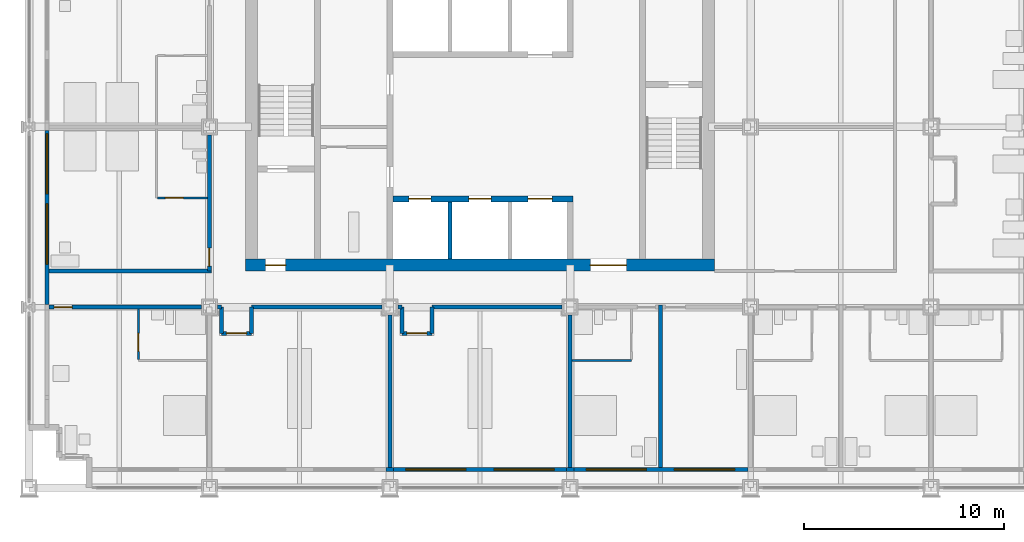
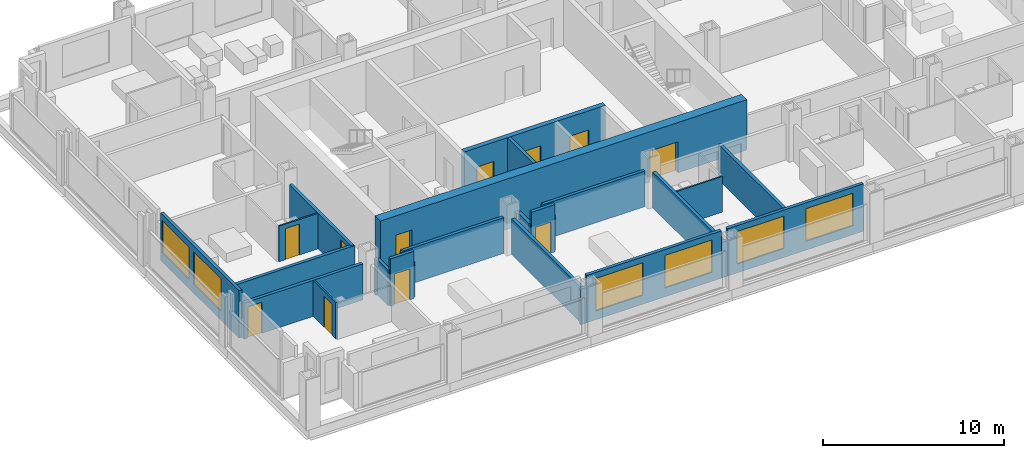
# One storey, part 10 of 18: 27 walls, 11 doors, 6 windows, 17 openings.
"""IFC4 building model written with IfcOpenShell, lengths in metres."""

from ifc_helpers import new_model, si_unit, direction, frame, frame_2d, origin, place, context, subcontext, project, spatial, rectangle, extrude, material, layer, layer_set, type_object, element, fill, save


model = new_model("IFC4")

# Units and contexts
model_context = context("Model", 3, precision=1e-05, world=origin(), true_north=direction((0.0, 1.0)))
body_context = subcontext(model_context, "Body", "Model", "MODEL_VIEW")
ifc_project = project(units=[si_unit("LENGTHUNIT", "METRE"), si_unit("AREAUNIT", "SQUARE_METRE"), si_unit("VOLUMEUNIT", "CUBIC_METRE"), si_unit("PLANEANGLEUNIT", "RADIAN"), si_unit("MASSUNIT", "GRAM", prefix="KILO")], contexts=[model_context])

# Site, building, storey
site_placement = place(None, origin())
site = spatial("IfcSite", under=ifc_project, at=site_placement, CompositionType="ELEMENT")
building_placement = place(site_placement, origin())
building = spatial("IfcBuilding", under=site, at=building_placement, Name="Loomwork Tower", CompositionType="ELEMENT")
storey_placement = place(building_placement, frame((0.0, 0.0, 28.0)))
storey = spatial("IfcBuildingStorey", under=building, at=storey_placement, Name="L05", CompositionType="ELEMENT", Elevation=28.0)

# Wall, openings, doors
ifc_material_1 = material(Name="Concrete 14000 psi (97 MPa)", Category="concrete")
ifc_layer_1 = layer(ifc_material_1, 0.300048828125)
ifc_layer_set_1 = layer_set([ifc_layer_1], Name="Core shear wall 300")
wall_type_1 = type_object("IfcWallType", Name="Core shear wall 300", PredefinedType="SHEAR", material=ifc_layer_set_1)
wall_1_placement = place(storey_placement, frame((18.14990234375, 14.39990234375, 0.0), z_axis=(0.0, 0.0, 1.0), x_axis=(1.0, 0.0, 0.0)))
wall_1 = element("IfcWall", 1, at=wall_1_placement, inside=storey, type_object=wall_type_1, Name="Lift front wall south L05", PredefinedType="SHEAR", context=body_context, shape_type="SweptSolid", body=[
    extrude(rectangle(XDim=9.0, YDim=0.300048828125, at=frame_2d((4.5, 0.0))), origin(), (0.0, 0.0, 1.0), 3.39990234375),
])
opening_1_placement = place(wall_1_placement, frame((0.800048828125, 0.0, 0.0)))
opening_1 = element("IfcOpeningElement", 2, at=opening_1_placement, cuts=wall_1, Name="Opening LD1", PredefinedType="OPENING", context=body_context, shape_type="SweptSolid", body=[
    extrude(rectangle(XDim=1.10009765625, YDim=2.10009765625, at=frame_2d((0.550048828125, 1.050048828125))), frame((0.0, 0.159912109375, 0.0), z_axis=(0.0, -1.0, 0.0), x_axis=(1.0, 0.0, 0.0)), (0.0, 0.0, 1.0), 0.320068359375),
])
opening_2_placement = place(wall_1_placement, frame((3.800048828125, 0.0, 0.0)))
opening_2 = element("IfcOpeningElement", 3, at=opening_2_placement, cuts=wall_1, Name="Opening LD1", PredefinedType="OPENING", context=body_context, shape_type="SweptSolid", body=[
    extrude(rectangle(XDim=1.10009765625, YDim=2.10009765625, at=frame_2d((0.550048828125, 1.050048828125))), frame((0.0, 0.159912109375, 0.0), z_axis=(0.0, -1.0, 0.0), x_axis=(1.0, 0.0, 0.0)), (0.0, 0.0, 1.0), 0.320068359375),
])
opening_3_placement = place(wall_1_placement, frame((6.75, 0.0, 0.0)))
opening_3 = element("IfcOpeningElement", 4, at=opening_3_placement, cuts=wall_1, Name="Opening LD2", PredefinedType="OPENING", context=body_context, shape_type="SweptSolid", body=[
    extrude(rectangle(XDim=1.199951171875, YDim=2.10009765625, at=frame_2d((0.60009765625, 1.050048828125))), frame((0.0, 0.159912109375, 0.0), z_axis=(0.0, -1.0, 0.0), x_axis=(1.0, 0.0, 0.0)), (0.0, 0.0, 1.0), 0.320068359375),
])
ifc_material_2 = material(Name="Hollow metal door and frame")
door_type_1 = type_object("IfcDoorType", Name="Lift landing door 1100", OperationType="SLIDING_TO_LEFT", PredefinedType="DOOR", material=ifc_material_2)
door_1_placement = place(opening_1_placement, origin())
door_1 = element("IfcDoor", 5, at=door_1_placement, inside=storey, type_object=door_type_1, Name="Lift landing door LA1", OperationType="SLIDING_TO_LEFT", OverallHeight=2.10009765625, OverallWidth=1.10009765625, PredefinedType="DOOR", context=body_context, shape_type="SweptSolid", body=[
    extrude(rectangle(XDim=1.10009765625, YDim=2.10009765625, at=frame_2d((0.550048828125, 1.050048828125))), frame((0.0, 0.02490234375, 0.0), z_axis=(0.0, -1.0, 0.0), x_axis=(1.0, 0.0, 0.0)), (0.0, 0.0, 1.0), 0.050048828125),
])
fill(opening_1, door_1)
door_2_placement = place(opening_2_placement, origin())
door_2 = element("IfcDoor", 6, at=door_2_placement, inside=storey, type_object=door_type_1, Name="Lift landing door LA2", OperationType="SLIDING_TO_LEFT", OverallHeight=2.10009765625, OverallWidth=1.10009765625, PredefinedType="DOOR", context=body_context, shape_type="SweptSolid", body=[
    extrude(rectangle(XDim=1.10009765625, YDim=2.10009765625, at=frame_2d((0.550048828125, 1.050048828125))), frame((0.0, 0.02490234375, 0.0), z_axis=(0.0, -1.0, 0.0), x_axis=(1.0, 0.0, 0.0)), (0.0, 0.0, 1.0), 0.050048828125),
])
fill(opening_2, door_2)
ifc_material_3 = material(Name="Hollow metal door and frame")
door_type_2 = type_object("IfcDoorType", Name="Lift landing door 1200", OperationType="SLIDING_TO_LEFT", PredefinedType="DOOR", material=ifc_material_3)
door_3_placement = place(opening_3_placement, origin())
door_3 = element("IfcDoor", 7, at=door_3_placement, inside=storey, type_object=door_type_2, Name="Lift landing door LF1", OperationType="SLIDING_TO_LEFT", OverallHeight=2.10009765625, OverallWidth=1.199951171875, PredefinedType="DOOR", context=body_context, shape_type="SweptSolid", body=[
    extrude(rectangle(XDim=1.199951171875, YDim=2.10009765625, at=frame_2d((0.60009765625, 1.050048828125))), frame((0.0, 0.02490234375, 0.0), z_axis=(0.0, -1.0, 0.0), x_axis=(1.0, 0.0, 0.0)), (0.0, 0.0, 1.0), 0.050048828125),
])
fill(opening_3, door_3)

ifc_material_4 = material(Name="Concrete 14000 psi (97 MPa)", Category="concrete")
ifc_layer_2 = layer(ifc_material_4, 0.60009765625)
ifc_layer_set_2 = layer_set([ifc_layer_2], Name="Core shear wall 600")
wall_type_2 = type_object("IfcWallType", Name="Core shear wall 600", PredefinedType="SHEAR", material=ifc_layer_set_2)
wall_2_placement = place(storey_placement, frame((10.800048828125, 11.10009765625, 0.0), z_axis=(0.0, 0.0, 1.0), x_axis=(1.0, 0.0, 0.0)))
wall_2 = element("IfcWall", 8, at=wall_2_placement, inside=storey, type_object=wall_type_2, Name="Core wall south L05", PredefinedType="SHEAR", context=body_context, shape_type="SweptSolid", body=[
    extrude(rectangle(XDim=23.39990234375, YDim=0.60009765625, at=frame_2d((11.699951171875, 0.0))), origin(), (0.0, 0.0, 1.0), 3.39990234375),
])
opening_4_placement = place(wall_2_placement, frame((1.0, 0.0, 0.0)))
opening_4 = element("IfcOpeningElement", 9, at=opening_4_placement, cuts=wall_2, Name="Opening D4", PredefinedType="OPENING", context=body_context, shape_type="SweptSolid", body=[
    extrude(rectangle(XDim=1.0, YDim=2.10009765625, at=frame_2d((0.5, 1.050048828125))), frame((0.0, 0.31005859375, 0.0), z_axis=(0.0, -1.0, 0.0), x_axis=(1.0, 0.0, 0.0)), (0.0, 0.0, 1.0), 0.6201171875),
])
opening_5_placement = place(wall_2_placement, frame((17.199951171875, 0.0, 0.0)))
opening_5 = element("IfcOpeningElement", 10, at=opening_5_placement, cuts=wall_2, Name="Opening D6", PredefinedType="OPENING", context=body_context, shape_type="SweptSolid", body=[
    extrude(rectangle(XDim=1.800048828125, YDim=2.10009765625, at=frame_2d((0.89990234375, 1.050048828125))), frame((0.0, 0.31005859375, 0.0), z_axis=(0.0, -1.0, 0.0), x_axis=(1.0, 0.0, 0.0)), (0.0, 0.0, 1.0), 0.6201171875),
])
ifc_material_5 = material(Name="Hollow metal door and frame")
door_type_3 = type_object("IfcDoorType", Name="Lobby passage double door 1800", OperationType="DOUBLE_DOOR_SINGLE_SWING", PredefinedType="DOOR", material=ifc_material_5)
door_4_placement = place(opening_5_placement, origin())
door_4 = element("IfcDoor", 11, at=door_4_placement, inside=storey, type_object=door_type_3, Name="Lobby passage door south", OperationType="DOUBLE_DOOR_SINGLE_SWING", OverallHeight=2.10009765625, OverallWidth=1.800048828125, PredefinedType="DOOR", context=body_context, shape_type="SweptSolid", body=[
    extrude(rectangle(XDim=1.800048828125, YDim=2.10009765625, at=frame_2d((0.89990234375, 1.050048828125))), frame((0.0, 0.02490234375, 0.0), z_axis=(0.0, -1.0, 0.0), x_axis=(1.0, 0.0, 0.0)), (0.0, 0.0, 1.0), 0.050048828125),
])
fill(opening_5, door_4)
ifc_material_6 = material(Name="Hollow metal door and frame")
door_type_4 = type_object("IfcDoorType", Name="Stair door 1000", OperationType="SINGLE_SWING_RIGHT", PredefinedType="DOOR", material=ifc_material_6)
door_5_placement = place(opening_4_placement, origin())
door_5 = element("IfcDoor", 12, at=door_5_placement, inside=storey, type_object=door_type_4, Name="Stair A vestibule door", OperationType="SINGLE_SWING_LEFT", OverallHeight=2.10009765625, OverallWidth=1.0, PredefinedType="DOOR", context=body_context, shape_type="SweptSolid", body=[
    extrude(rectangle(XDim=1.0, YDim=2.10009765625, at=frame_2d((0.5, 1.050048828125))), frame((0.0, 0.02490234375, 0.0), z_axis=(0.0, -1.0, 0.0), x_axis=(1.0, 0.0, 0.0)), (0.0, 0.0, 1.0), 0.050048828125),
])
fill(opening_4, door_5)

# Wall, opening, door
ifc_material_7 = material(Name="Gypsum board on steel studs, one-hour", Category="steel")
ifc_layer_3 = layer(ifc_material_7, 0.199951171875)
ifc_layer_set_3 = layer_set([ifc_layer_3], Name="Corridor wall 200")
wall_type_3 = type_object("IfcWallType", Name="Corridor wall 200", PredefinedType="PARTITIONING", material=ifc_layer_set_3)
wall_3_placement = place(storey_placement, frame((1.0, 9.0, 0.0), z_axis=(0.0, 0.0, 1.0), x_axis=(1.0, 0.0, 0.0)))
wall_3 = element("IfcWall", 13, at=wall_3_placement, inside=storey, type_object=wall_type_3, Name="South corridor wall 1", PredefinedType="PARTITIONING", context=body_context, shape_type="SweptSolid", body=[
    extrude(rectangle(XDim=7.60009765625, YDim=0.199951171875, at=frame_2d((3.800048828125, 0.0))), origin(), (0.0, 0.0, 1.0), 2.43798828125),
])
opening_6_placement = place(wall_3_placement, frame((0.25, 0.0, 0.0)))
opening_6 = element("IfcOpeningElement", 14, at=opening_6_placement, cuts=wall_3, Name="Opening D1", PredefinedType="OPENING", context=body_context, shape_type="SweptSolid", body=[
    extrude(rectangle(XDim=0.89990234375, YDim=2.10009765625, at=frame_2d((0.449951171875, 1.050048828125))), frame((0.0, 0.10986328125, 0.0), z_axis=(0.0, -1.0, 0.0), x_axis=(1.0, 0.0, 0.0)), (0.0, 0.0, 1.0), 0.219970703125),
])
ifc_material_8 = material(Name="Hollow metal door and frame")
door_type_5 = type_object("IfcDoorType", Name="Guest room entry door 900", OperationType="SINGLE_SWING_LEFT", PredefinedType="DOOR", material=ifc_material_8)
door_6_placement = place(opening_6_placement, frame((0.89990234375, 0.0, 0.0), z_axis=(0.0, 0.0, 1.0), x_axis=(-1.0, 0.0, 0.0)))
door_6 = element("IfcDoor", 15, at=door_6_placement, inside=storey, type_object=door_type_5, Name="Guest room entry door L05 1", OperationType="SINGLE_SWING_RIGHT", OverallHeight=2.10009765625, OverallWidth=0.89990234375, PredefinedType="DOOR", context=body_context, shape_type="SweptSolid", body=[
    extrude(rectangle(XDim=0.89990234375, YDim=2.10009765625, at=frame_2d((0.449951171875, 1.050048828125))), frame((0.0, 0.02490234375, 0.0), z_axis=(0.0, -1.0, 0.0), x_axis=(1.0, 0.0, 0.0)), (0.0, 0.0, 1.0), 0.050048828125),
])
fill(opening_6, door_6)

# Walls
for number, where, z_axis, x_axis, name in (
    (16, (9.39990234375, 9.0, 0.0), (0.0, 0.0, 1.0), (1.0, 0.0, 0.0), "South corridor wall 2"),
    (17, (18.39990234375, 9.0, 0.0), (0.0, 0.0, 1.0), (1.0, 0.0, 0.0), "South corridor wall 3"),
):
    element("IfcWall", number, at=place(storey_placement, frame(where, z_axis=z_axis, x_axis=x_axis)), inside=storey, type_object=wall_type_3, Name=name, PredefinedType="PARTITIONING", context=body_context, shape_type="SweptSolid", body=[
        extrude(rectangle(XDim=0.2001953125, YDim=0.199951171875, at=frame_2d((0.10009765625, 0.0))), origin(), (0.0, 0.0, 1.0), 2.405029296875),
    ])

# Wall, opening, door
wall_4_placement = place(storey_placement, frame((9.0, 10.800048828125, 0.0), z_axis=(0.0, 0.0, 1.0), x_axis=(0.0, 1.0, 0.0)))
wall_4 = element("IfcWall", 18, at=wall_4_placement, inside=storey, type_object=wall_type_3, Name="West corridor wall 1", PredefinedType="PARTITIONING", context=body_context, shape_type="SweptSolid", body=[
    extrude(rectangle(XDim=6.800048828125, YDim=0.199951171875, at=frame_2d((3.39990234375, 0.0))), origin(), (0.0, 0.0, 1.0), 2.405029296875),
])
opening_7_placement = place(wall_4_placement, frame((0.25, 0.0, 0.0)))
opening_7 = element("IfcOpeningElement", 19, at=opening_7_placement, cuts=wall_4, Name="Opening D1", PredefinedType="OPENING", context=body_context, shape_type="SweptSolid", body=[
    extrude(rectangle(XDim=0.89990234375, YDim=2.10009765625, at=frame_2d((0.449951171875, 1.050048828125))), frame((0.0, 0.10986328125, 0.0), z_axis=(0.0, -1.0, 0.0), x_axis=(1.0, 0.0, 0.0)), (0.0, 0.0, 1.0), 0.219970703125),
])
door_7_placement = place(opening_7_placement, origin())
door_7 = element("IfcDoor", 20, at=door_7_placement, inside=storey, type_object=door_type_5, Name="Guest room entry door L05 15", OperationType="SINGLE_SWING_LEFT", OverallHeight=2.10009765625, OverallWidth=0.89990234375, PredefinedType="DOOR", context=body_context, shape_type="SweptSolid", body=[
    extrude(rectangle(XDim=0.89990234375, YDim=2.10009765625, at=frame_2d((0.449951171875, 1.050048828125))), frame((0.0, 0.02490234375, 0.0), z_axis=(0.0, -1.0, 0.0), x_axis=(1.0, 0.0, 0.0)), (0.0, 0.0, 1.0), 0.050048828125),
])
fill(opening_7, door_7)

# Walls
wall_5_placement = place(storey_placement, frame((1.0, 10.800048828125, 0.0), z_axis=(0.0, 0.0, 1.0), x_axis=(1.0, 0.0, 0.0)))
element("IfcWall", 21, at=wall_5_placement, inside=storey, type_object=wall_type_3, Name="West band end wall S", PredefinedType="PARTITIONING", context=body_context, shape_type="SweptSolid", body=[
    extrude(rectangle(XDim=8.10009765625, YDim=0.199951171875, at=frame_2d((4.050048828125, 0.0))), origin(), (0.0, 0.0, 1.0), 2.404052734375),
])
wall_6_placement = place(storey_placement, frame((11.10009765625, 9.0, 0.0), z_axis=(0.0, 0.0, 1.0), x_axis=(1.0, 0.0, 0.0)))
element("IfcWall", 22, at=wall_6_placement, inside=storey, type_object=wall_type_3, Name="South corridor wall 2", PredefinedType="PARTITIONING", context=body_context, shape_type="SweptSolid", body=[
    extrude(rectangle(XDim=6.5, YDim=0.199951171875, at=frame_2d((3.25, 0.0))), origin(), (0.0, 0.0, 1.0), 2.405029296875),
])
for number, where, z_axis, x_axis, name in (
    (23, (9.60009765625, 9.0, 0.0), (0.0, 0.0, 1.0), (0.0, -1.0, 0.0), "Meeting room door L05 2 alcove wall"),
    (24, (11.10009765625, 9.0, 0.0), (0.0, 0.0, 1.0), (0.0, -1.0, 0.0), "Meeting room door L05 2 alcove wall"),
):
    element("IfcWall", number, at=place(storey_placement, frame(where, z_axis=z_axis, x_axis=x_axis)), inside=storey, type_object=wall_type_3, Name=name, PredefinedType="PARTITIONING", context=body_context, shape_type="SweptSolid", body=[
        extrude(rectangle(XDim=1.300048828125, YDim=0.199951171875, at=frame_2d((0.64990234375, 0.0))), origin(), (0.0, 0.0, 1.0), 2.404052734375),
    ])

# Wall, opening, door
wall_7_placement = place(storey_placement, frame((9.60009765625, 7.699951171875, 0.0), z_axis=(0.0, 0.0, 1.0), x_axis=(1.0, 0.0, 0.0)))
wall_7 = element("IfcWall", 25, at=wall_7_placement, inside=storey, type_object=wall_type_3, Name="Meeting room door L05 2 alcove wall", PredefinedType="PARTITIONING", context=body_context, shape_type="SweptSolid", body=[
    extrude(rectangle(XDim=1.5, YDim=0.199951171875, at=frame_2d((0.75, 0.0))), origin(), (0.0, 0.0, 1.0), 3.199951171875),
])
opening_8_placement = place(wall_7_placement, frame((0.25, 0.0, 0.0)))
opening_8 = element("IfcOpeningElement", 26, at=opening_8_placement, cuts=wall_7, Name="Opening D15", PredefinedType="OPENING", context=body_context, shape_type="SweptSolid", body=[
    extrude(rectangle(XDim=1.0, YDim=2.10009765625, at=frame_2d((0.5, 1.050048828125))), frame((0.0, 0.10986328125, 0.0), z_axis=(0.0, -1.0, 0.0), x_axis=(1.0, 0.0, 0.0)), (0.0, 0.0, 1.0), 0.219970703125),
])
ifc_material_9 = material(Name="Hollow metal door and frame")
door_type_6 = type_object("IfcDoorType", Name="Fire-rated room door 1000", OperationType="SINGLE_SWING_LEFT", PredefinedType="DOOR", material=ifc_material_9)
door_8_placement = place(opening_8_placement, frame((1.0, 0.0, 0.0), z_axis=(0.0, 0.0, 1.0), x_axis=(-1.0, 0.0, 0.0)))
door_8 = element("IfcDoor", 27, at=door_8_placement, inside=storey, type_object=door_type_6, Name="Meeting room door L05 2", OperationType="SINGLE_SWING_RIGHT", OverallHeight=2.10009765625, OverallWidth=1.0, PredefinedType="DOOR", context=body_context, shape_type="SweptSolid", body=[
    extrude(rectangle(XDim=1.0, YDim=2.10009765625, at=frame_2d((0.5, 1.050048828125))), frame((0.0, 0.02490234375, 0.0), z_axis=(0.0, -1.0, 0.0), x_axis=(1.0, 0.0, 0.0)), (0.0, 0.0, 1.0), 0.050048828125),
])
fill(opening_8, door_8)

# Walls
wall_8_placement = place(storey_placement, frame((20.10009765625, 9.0, 0.0), z_axis=(0.0, 0.0, 1.0), x_axis=(1.0, 0.0, 0.0)))
element("IfcWall", 28, at=wall_8_placement, inside=storey, type_object=wall_type_3, Name="South corridor wall 3", PredefinedType="PARTITIONING", context=body_context, shape_type="SweptSolid", body=[
    extrude(rectangle(XDim=6.5, YDim=0.199951171875, at=frame_2d((3.25, 0.0))), origin(), (0.0, 0.0, 1.0), 2.405029296875),
])
for number, where, z_axis, x_axis, name in (
    (29, (18.60009765625, 9.0, 0.0), (0.0, 0.0, 1.0), (0.0, -1.0, 0.0), "Meeting room door L05 3 alcove wall"),
    (30, (20.10009765625, 9.0, 0.0), (0.0, 0.0, 1.0), (0.0, -1.0, 0.0), "Meeting room door L05 3 alcove wall"),
):
    element("IfcWall", number, at=place(storey_placement, frame(where, z_axis=z_axis, x_axis=x_axis)), inside=storey, type_object=wall_type_3, Name=name, PredefinedType="PARTITIONING", context=body_context, shape_type="SweptSolid", body=[
        extrude(rectangle(XDim=1.300048828125, YDim=0.199951171875, at=frame_2d((0.64990234375, 0.0))), origin(), (0.0, 0.0, 1.0), 2.404052734375),
    ])

# Wall, opening, door
wall_9_placement = place(storey_placement, frame((18.60009765625, 7.699951171875, 0.0), z_axis=(0.0, 0.0, 1.0), x_axis=(1.0, 0.0, 0.0)))
wall_9 = element("IfcWall", 31, at=wall_9_placement, inside=storey, type_object=wall_type_3, Name="Meeting room door L05 3 alcove wall", PredefinedType="PARTITIONING", context=body_context, shape_type="SweptSolid", body=[
    extrude(rectangle(XDim=1.5, YDim=0.199951171875, at=frame_2d((0.75, 0.0))), origin(), (0.0, 0.0, 1.0), 3.199951171875),
])
opening_9_placement = place(wall_9_placement, frame((0.25, 0.0, 0.0)))
opening_9 = element("IfcOpeningElement", 32, at=opening_9_placement, cuts=wall_9, Name="Opening D15", PredefinedType="OPENING", context=body_context, shape_type="SweptSolid", body=[
    extrude(rectangle(XDim=1.0, YDim=2.10009765625, at=frame_2d((0.5, 1.050048828125))), frame((0.0, 0.10986328125, 0.0), z_axis=(0.0, -1.0, 0.0), x_axis=(1.0, 0.0, 0.0)), (0.0, 0.0, 1.0), 0.219970703125),
])
door_9_placement = place(opening_9_placement, frame((1.0, 0.0, 0.0), z_axis=(0.0, 0.0, 1.0), x_axis=(-1.0, 0.0, 0.0)))
door_9 = element("IfcDoor", 33, at=door_9_placement, inside=storey, type_object=door_type_6, Name="Meeting room door L05 3", OperationType="SINGLE_SWING_RIGHT", OverallHeight=2.10009765625, OverallWidth=1.0, PredefinedType="DOOR", context=body_context, shape_type="SweptSolid", body=[
    extrude(rectangle(XDim=1.0, YDim=2.10009765625, at=frame_2d((0.5, 1.050048828125))), frame((0.0, 0.02490234375, 0.0), z_axis=(0.0, -1.0, 0.0), x_axis=(1.0, 0.0, 0.0)), (0.0, 0.0, 1.0), 0.050048828125),
])
fill(opening_9, door_9)

ifc_material_10 = material(Name="Cement board on steel studs", Category="steel")
ifc_layer_4 = layer(ifc_material_10, 0.10009765625)
ifc_layer_set_4 = layer_set([ifc_layer_4], Name="En-suite partition 100")
wall_type_4 = type_object("IfcWallType", Name="En-suite partition 100", PredefinedType="PARTITIONING", material=ifc_layer_set_4)
wall_10_placement = place(storey_placement, frame((5.449951171875, 8.89990234375, 0.0), z_axis=(0.0, 0.0, 1.0), x_axis=(0.0, -1.0, 0.0)))
wall_10 = element("IfcWall", 34, at=wall_10_placement, inside=storey, type_object=wall_type_4, Name="En-suite side wall L05 room 1", PredefinedType="PARTITIONING", context=body_context, shape_type="SweptSolid", body=[
    extrude(rectangle(XDim=2.5, YDim=0.10009765625, at=frame_2d((1.25, 0.0))), origin(), (0.0, 0.0, 1.0), 2.43798828125),
])
opening_10_placement = place(wall_10_placement, frame((1.199951171875, 0.0, 0.0)))
opening_10 = element("IfcOpeningElement", 35, at=opening_10_placement, cuts=wall_10, Name="Opening D3", PredefinedType="OPENING", context=body_context, shape_type="SweptSolid", body=[
    extrude(rectangle(XDim=0.89990234375, YDim=2.10009765625, at=frame_2d((0.449951171875, 1.050048828125))), frame((0.0, 0.06005859375, 0.0), z_axis=(0.0, -1.0, 0.0), x_axis=(1.0, 0.0, 0.0)), (0.0, 0.0, 1.0), 0.1201171875),
])
ifc_material_11 = material(Name="Hollow metal door and frame")
door_type_7 = type_object("IfcDoorType", Name="Accessible en-suite door 900", OperationType="SLIDING_TO_LEFT", PredefinedType="DOOR", material=ifc_material_11)
door_10_placement = place(opening_10_placement, origin())
door_10 = element("IfcDoor", 36, at=door_10_placement, inside=storey, type_object=door_type_7, Name="Accessible en-suite door room 1", OperationType="SLIDING_TO_LEFT", OverallHeight=2.10009765625, OverallWidth=0.89990234375, PredefinedType="DOOR", context=body_context, shape_type="SweptSolid", body=[
    extrude(rectangle(XDim=0.89990234375, YDim=2.10009765625, at=frame_2d((0.449951171875, 1.050048828125))), frame((0.0, 0.02490234375, 0.0), z_axis=(0.0, -1.0, 0.0), x_axis=(1.0, 0.0, 0.0)), (0.0, 0.0, 1.0), 0.050048828125),
])
fill(opening_10, door_10)

# Wall
wall_11_placement = place(storey_placement, frame((27.10009765625, 6.35009765625, 0.0), z_axis=(0.0, 0.0, 1.0), x_axis=(1.0, 0.0, 0.0)))
element("IfcWall", 37, at=wall_11_placement, inside=storey, type_object=wall_type_4, Name="En-suite wall L05 room 4", PredefinedType="PARTITIONING", context=body_context, shape_type="SweptSolid", body=[
    extrude(rectangle(XDim=2.949951171875, YDim=0.10009765625, at=frame_2d((1.47509765625, 0.0))), origin(), (0.0, 0.0, 1.0), 2.404052734375),
])

# Wall, opening, door
wall_12_placement = place(storey_placement, frame((8.89990234375, 14.449951171875, 0.0), z_axis=(0.0, 0.0, 1.0), x_axis=(-1.0, 0.0, 0.0)))
wall_12 = element("IfcWall", 38, at=wall_12_placement, inside=storey, type_object=wall_type_4, Name="En-suite side wall L05 room 15", PredefinedType="PARTITIONING", context=body_context, shape_type="SweptSolid", body=[
    extrude(rectangle(XDim=2.5, YDim=0.10009765625, at=frame_2d((1.25, 0.0))), origin(), (0.0, 0.0, 1.0), 2.404052734375),
])
opening_11_placement = place(wall_12_placement, frame((1.199951171875, 0.0, 0.0)))
opening_11 = element("IfcOpeningElement", 39, at=opening_11_placement, cuts=wall_12, Name="Opening D2", PredefinedType="OPENING", context=body_context, shape_type="SweptSolid", body=[
    extrude(rectangle(XDim=0.89990234375, YDim=2.10009765625, at=frame_2d((0.449951171875, 1.050048828125))), frame((0.0, 0.06005859375, 0.0), z_axis=(0.0, -1.0, 0.0), x_axis=(1.0, 0.0, 0.0)), (0.0, 0.0, 1.0), 0.1201171875),
])
ifc_material_12 = material(Name="Hollow metal door and frame")
door_type_8 = type_object("IfcDoorType", Name="En-suite door 900", OperationType="SINGLE_SWING_LEFT", PredefinedType="DOOR", material=ifc_material_12)
door_11_placement = place(opening_11_placement, frame((0.89990234375, 0.0, 0.0), z_axis=(0.0, 0.0, 1.0), x_axis=(-1.0, 0.0, 0.0)))
door_11 = element("IfcDoor", 40, at=door_11_placement, inside=storey, type_object=door_type_8, Name="En-suite door room 15", OperationType="SINGLE_SWING_LEFT", OverallHeight=2.10009765625, OverallWidth=0.89990234375, PredefinedType="DOOR", context=body_context, shape_type="SweptSolid", body=[
    extrude(rectangle(XDim=0.89990234375, YDim=2.10009765625, at=frame_2d((0.449951171875, 1.050048828125))), frame((0.0, 0.02490234375, 0.0), z_axis=(0.0, -1.0, 0.0), x_axis=(1.0, 0.0, 0.0)), (0.0, 0.0, 1.0), 0.050048828125),
])
fill(opening_11, door_11)

# Walls
ifc_material_13 = material(Name="Gypsum board on steel studs, acoustic", Category="steel")
ifc_layer_5 = layer(ifc_material_13, 0.199951171875)
ifc_layer_set_5 = layer_set([ifc_layer_5], Name="Guest room party wall 200")
wall_type_5 = type_object("IfcWallType", Name="Guest room party wall 200", PredefinedType="PARTITIONING", material=ifc_layer_set_5)
for number, where, z_axis, x_axis, name in (
    (41, (18.0, 8.60009765625, 0.0), (0.0, 0.0, 1.0), (0.0, -1.0, 0.0), "Guest room party wall S 18"),
    (42, (27.0, 8.60009765625, 0.0), (0.0, 0.0, 1.0), (0.0, -1.0, 0.0), "Guest room party wall S 27"),
):
    element("IfcWall", number, at=place(storey_placement, frame(where, z_axis=z_axis, x_axis=x_axis)), inside=storey, type_object=wall_type_5, Name=name, PredefinedType="PARTITIONING", context=body_context, shape_type="SweptSolid", body=[
        extrude(rectangle(XDim=7.60009765625, YDim=0.199951171875, at=frame_2d((3.800048828125, 0.0))), origin(), (0.0, 0.0, 1.0), 2.405029296875),
    ])
wall_13_placement = place(storey_placement, frame((31.5, 9.10009765625, 0.0), z_axis=(0.0, 0.0, 1.0), x_axis=(0.0, -1.0, 0.0)))
element("IfcWall", 43, at=wall_13_placement, inside=storey, type_object=wall_type_5, Name="Guest room party wall S 31.5", PredefinedType="PARTITIONING", context=body_context, shape_type="SweptSolid", body=[
    extrude(rectangle(XDim=8.10009765625, YDim=0.199951171875, at=frame_2d((4.050048828125, 0.0))), origin(), (0.0, 0.0, 1.0), 2.404052734375),
])
ifc_material_14 = material(Name="Insulated steel stud wall with gypsum lining", Category="steel")
ifc_layer_6 = layer(ifc_material_14, 0.199951171875)
ifc_layer_set_6 = layer_set([ifc_layer_6], Name="Inner skin wall 200")
wall_type_6 = type_object("IfcWallType", Name="Inner skin wall 200", PredefinedType="SOLIDWALL", material=ifc_layer_set_6)
wall_14_placement = place(storey_placement, frame((17.80615234375, 0.89990234375, 0.0), z_axis=(0.0, 0.0, 1.0), x_axis=(1.0, 0.0, 0.0)))
element("IfcWall", 44, at=wall_14_placement, inside=storey, type_object=wall_type_6, Name="Inner skin wall S bay 4", PredefinedType="SOLIDWALL", context=body_context, shape_type="SweptSolid", body=[
    extrude(rectangle(XDim=0.3876953125, YDim=0.199951171875, at=frame_2d((0.19384765625, 0.0))), origin(), (0.0, 0.0, 1.0), 2.404052734375),
])

# Wall, openings, windows
wall_15_placement = place(storey_placement, frame((18.19384765625, 0.89990234375, 0.0), z_axis=(0.0, 0.0, 1.0), x_axis=(1.0, 0.0, 0.0)))
wall_15 = element("IfcWall", 45, at=wall_15_placement, inside=storey, type_object=wall_type_6, Name="Inner skin wall S bay 5", PredefinedType="SOLIDWALL", context=body_context, shape_type="SweptSolid", body=[
    extrude(rectangle(XDim=8.6123046875, YDim=0.199951171875, at=frame_2d((4.30615234375, 0.0))), origin(), (0.0, 0.0, 1.0), 3.199951171875),
])
opening_12_placement = place(wall_15_placement, frame((0.606201171875, 0.0, 0.60009765625)))
opening_12 = element("IfcOpeningElement", 46, at=opening_12_placement, cuts=wall_15, Name="Opening CH1", PredefinedType="OPENING", context=body_context, shape_type="SweptSolid", body=[
    extrude(rectangle(XDim=3.0, YDim=2.199951171875, at=frame_2d((1.5, 1.10009765625))), frame((0.0, 0.10986328125, 0.0), z_axis=(0.0, -1.0, 0.0), x_axis=(1.0, 0.0, 0.0)), (0.0, 0.0, 1.0), 0.219970703125),
])
opening_13_placement = place(wall_15_placement, frame((5.006103515625, 0.0, 0.60009765625)))
opening_13 = element("IfcOpeningElement", 47, at=opening_13_placement, cuts=wall_15, Name="Opening CH1", PredefinedType="OPENING", context=body_context, shape_type="SweptSolid", body=[
    extrude(rectangle(XDim=3.0, YDim=2.199951171875, at=frame_2d((1.5, 1.10009765625))), frame((0.0, 0.10986328125, 0.0), z_axis=(0.0, -1.0, 0.0), x_axis=(1.0, 0.0, 0.0)), (0.0, 0.0, 1.0), 0.219970703125),
])
ifc_material_15 = material(Name="Aluminium frame with clear insulated glass", Category="aluminium")
window_type = type_object("IfcWindowType", Name="Chicago window 3000", PartitioningType="TRIPLE_PANEL_VERTICAL", PredefinedType="WINDOW", material=ifc_material_15)
window_1_placement = place(opening_12_placement, origin())
window_1 = element("IfcWindow", 48, at=window_1_placement, inside=storey, type_object=window_type, Name="Chicago window L05 bay 3", OverallHeight=2.199951171875, OverallWidth=3.0, PartitioningType="TRIPLE_PANEL_VERTICAL", PredefinedType="WINDOW", context=body_context, shape_type="SweptSolid", body=[
    extrude(rectangle(XDim=3.0, YDim=2.199951171875, at=frame_2d((1.5, 1.10009765625))), frame((0.0, 0.030029296875, 0.0), z_axis=(0.0, -1.0, 0.0), x_axis=(1.0, 0.0, 0.0)), (0.0, 0.0, 1.0), 0.06005859375),
])
fill(opening_12, window_1)
window_2_placement = place(opening_13_placement, origin())
window_2 = element("IfcWindow", 49, at=window_2_placement, inside=storey, type_object=window_type, Name="Chicago window L05 bay 3", OverallHeight=2.199951171875, OverallWidth=3.0, PartitioningType="TRIPLE_PANEL_VERTICAL", PredefinedType="WINDOW", context=body_context, shape_type="SweptSolid", body=[
    extrude(rectangle(XDim=3.0, YDim=2.199951171875, at=frame_2d((1.5, 1.10009765625))), frame((0.0, 0.030029296875, 0.0), z_axis=(0.0, -1.0, 0.0), x_axis=(1.0, 0.0, 0.0)), (0.0, 0.0, 1.0), 0.06005859375),
])
fill(opening_13, window_2)

# Wall
wall_16_placement = place(storey_placement, frame((26.80615234375, 0.89990234375, 0.0), z_axis=(0.0, 0.0, 1.0), x_axis=(1.0, 0.0, 0.0)))
element("IfcWall", 50, at=wall_16_placement, inside=storey, type_object=wall_type_6, Name="Inner skin wall S bay 6", PredefinedType="SOLIDWALL", context=body_context, shape_type="SweptSolid", body=[
    extrude(rectangle(XDim=0.3876953125, YDim=0.199951171875, at=frame_2d((0.19384765625, 0.0))), origin(), (0.0, 0.0, 1.0), 2.404052734375),
])

# Wall, openings, windows
wall_17_placement = place(storey_placement, frame((27.19384765625, 0.89990234375, 0.0), z_axis=(0.0, 0.0, 1.0), x_axis=(1.0, 0.0, 0.0)))
wall_17 = element("IfcWall", 51, at=wall_17_placement, inside=storey, type_object=wall_type_6, Name="Inner skin wall S bay 7", PredefinedType="SOLIDWALL", context=body_context, shape_type="SweptSolid", body=[
    extrude(rectangle(XDim=8.670654296875, YDim=0.199951171875, at=frame_2d((4.33544921875, 0.0))), origin(), (0.0, 0.0, 1.0), 3.199951171875),
])
opening_14_placement = place(wall_17_placement, frame((0.606201171875, 0.0, 0.60009765625)))
opening_14 = element("IfcOpeningElement", 52, at=opening_14_placement, cuts=wall_17, Name="Opening CH1", PredefinedType="OPENING", context=body_context, shape_type="SweptSolid", body=[
    extrude(rectangle(XDim=3.0, YDim=2.199951171875, at=frame_2d((1.5, 1.10009765625))), frame((0.0, 0.10986328125, 0.0), z_axis=(0.0, -1.0, 0.0), x_axis=(1.0, 0.0, 0.0)), (0.0, 0.0, 1.0), 0.219970703125),
])
opening_15_placement = place(wall_17_placement, frame((5.006103515625, 0.0, 0.60009765625)))
opening_15 = element("IfcOpeningElement", 53, at=opening_15_placement, cuts=wall_17, Name="Opening CH1", PredefinedType="OPENING", context=body_context, shape_type="SweptSolid", body=[
    extrude(rectangle(XDim=3.0, YDim=2.199951171875, at=frame_2d((1.5, 1.10009765625))), frame((0.0, 0.10986328125, 0.0), z_axis=(0.0, -1.0, 0.0), x_axis=(1.0, 0.0, 0.0)), (0.0, 0.0, 1.0), 0.219970703125),
])
window_3_placement = place(opening_14_placement, origin())
window_3 = element("IfcWindow", 54, at=window_3_placement, inside=storey, type_object=window_type, Name="Chicago window L05 bay 4", OverallHeight=2.199951171875, OverallWidth=3.0, PartitioningType="TRIPLE_PANEL_VERTICAL", PredefinedType="WINDOW", context=body_context, shape_type="SweptSolid", body=[
    extrude(rectangle(XDim=3.0, YDim=2.199951171875, at=frame_2d((1.5, 1.10009765625))), frame((0.0, 0.030029296875, 0.0), z_axis=(0.0, -1.0, 0.0), x_axis=(1.0, 0.0, 0.0)), (0.0, 0.0, 1.0), 0.06005859375),
])
fill(opening_14, window_3)
window_4_placement = place(opening_15_placement, origin())
window_4 = element("IfcWindow", 55, at=window_4_placement, inside=storey, type_object=window_type, Name="Chicago window L05 bay 4", OverallHeight=2.199951171875, OverallWidth=3.0, PartitioningType="TRIPLE_PANEL_VERTICAL", PredefinedType="WINDOW", context=body_context, shape_type="SweptSolid", body=[
    extrude(rectangle(XDim=3.0, YDim=2.199951171875, at=frame_2d((1.5, 1.10009765625))), frame((0.0, 0.030029296875, 0.0), z_axis=(0.0, -1.0, 0.0), x_axis=(1.0, 0.0, 0.0)), (0.0, 0.0, 1.0), 0.06005859375),
])
fill(opening_15, window_4)

wall_18_placement = place(storey_placement, frame((0.89990234375, 9.13525390625, 0.0), z_axis=(0.0, 0.0, 1.0), x_axis=(0.0, 1.0, 0.0)))
wall_18 = element("IfcWall", 56, at=wall_18_placement, inside=storey, type_object=wall_type_6, Name="Inner skin wall W bay 5", PredefinedType="SOLIDWALL", context=body_context, shape_type="SweptSolid", body=[
    extrude(rectangle(XDim=8.6708984375, YDim=0.199951171875, at=frame_2d((4.33544921875, 0.0))), origin(), (0.0, 0.0, 1.0), 3.199951171875),
])
opening_16_placement = place(wall_18_placement, frame((2.0146484375, 0.0, 0.60009765625)))
opening_16 = element("IfcOpeningElement", 57, at=opening_16_placement, cuts=wall_18, Name="Opening CH1", PredefinedType="OPENING", context=body_context, shape_type="SweptSolid", body=[
    extrude(rectangle(XDim=3.0, YDim=2.199951171875, at=frame_2d((1.5, 1.10009765625))), frame((0.0, 0.10986328125, 0.0), z_axis=(0.0, -1.0, 0.0), x_axis=(1.0, 0.0, 0.0)), (0.0, 0.0, 1.0), 0.219970703125),
])
opening_17_placement = place(wall_18_placement, frame((5.5146484375, 0.0, 0.60009765625)))
opening_17 = element("IfcOpeningElement", 58, at=opening_17_placement, cuts=wall_18, Name="Opening CH1", PredefinedType="OPENING", context=body_context, shape_type="SweptSolid", body=[
    extrude(rectangle(XDim=3.0, YDim=2.199951171875, at=frame_2d((1.5, 1.10009765625))), frame((0.0, 0.10986328125, 0.0), z_axis=(0.0, -1.0, 0.0), x_axis=(1.0, 0.0, 0.0)), (0.0, 0.0, 1.0), 0.219970703125),
])
window_5_placement = place(opening_16_placement, origin())
window_5 = element("IfcWindow", 59, at=window_5_placement, inside=storey, type_object=window_type, Name="Chicago window L05 bay 13", OverallHeight=2.199951171875, OverallWidth=3.0, PartitioningType="TRIPLE_PANEL_VERTICAL", PredefinedType="WINDOW", context=body_context, shape_type="SweptSolid", body=[
    extrude(rectangle(XDim=3.0, YDim=2.199951171875, at=frame_2d((1.5, 1.10009765625))), frame((0.0, 0.030029296875, 0.0), z_axis=(0.0, -1.0, 0.0), x_axis=(1.0, 0.0, 0.0)), (0.0, 0.0, 1.0), 0.06005859375),
])
fill(opening_16, window_5)
window_6_placement = place(opening_17_placement, origin())
window_6 = element("IfcWindow", 60, at=window_6_placement, inside=storey, type_object=window_type, Name="Chicago window L05 bay 13", OverallHeight=2.199951171875, OverallWidth=3.0, PartitioningType="TRIPLE_PANEL_VERTICAL", PredefinedType="WINDOW", context=body_context, shape_type="SweptSolid", body=[
    extrude(rectangle(XDim=3.0, YDim=2.199951171875, at=frame_2d((1.5, 1.10009765625))), frame((0.0, 0.030029296875, 0.0), z_axis=(0.0, -1.0, 0.0), x_axis=(1.0, 0.0, 0.0)), (0.0, 0.0, 1.0), 0.06005859375),
])
fill(opening_17, window_6)

# Wall
ifc_material_16 = material(Name="Concrete 14000 psi (97 MPa)", Category="concrete")
ifc_layer_7 = layer(ifc_material_16, 0.199951171875)
ifc_layer_set_7 = layer_set([ifc_layer_7], Name="Lift shaft wall 200")
wall_type_7 = type_object("IfcWallType", Name="Lift shaft wall 200", PredefinedType="SHEAR", material=ifc_layer_set_7)
wall_19_placement = place(storey_placement, frame((21.0, 11.39990234375, 0.0), z_axis=(0.0, 0.0, 1.0), x_axis=(0.0, 1.0, 0.0)))
element("IfcWall", 61, at=wall_19_placement, inside=storey, type_object=wall_type_7, Name="Lift shaft separation wall south 1 L05", PredefinedType="SHEAR", context=body_context, shape_type="SweptSolid", body=[
    extrude(rectangle(XDim=2.85009765625, YDim=0.199951171875, at=frame_2d((1.425048828125, 0.0))), origin(), (0.0, 0.0, 1.0), 3.39990234375),
])

save(model, "model.ifc")
